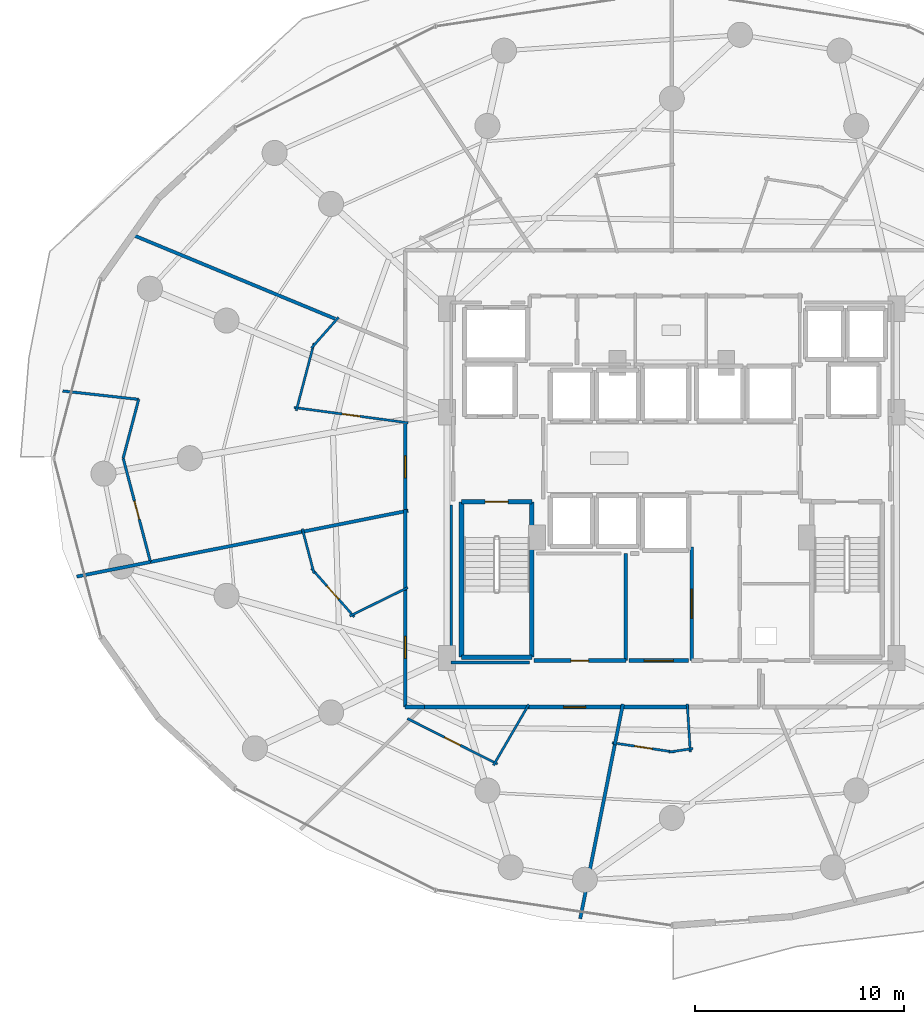
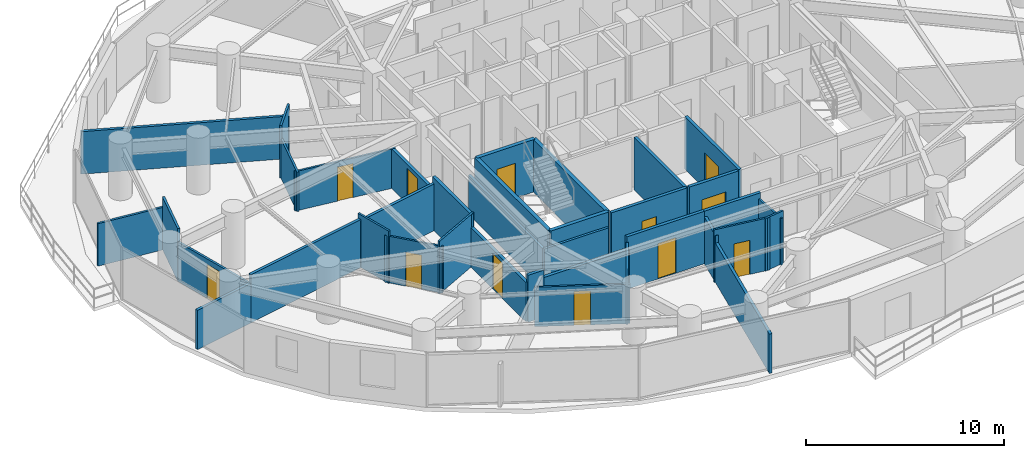
# One storey, part 27 of 35: 37 walls, 12 doors, 12 openings.
"""IFC4 building model written with IfcOpenShell, lengths in metres."""

import ifcopenshell
import ifcopenshell.guid

model = None  # the IFC model being written
_history = None  # IfcOwnerHistory: only IFC2X3 demands one
_inside = {}  # id of a spatial element -> (the spatial element, [elements in it])
_under = {}  # id of a project, library or spatial element -> (it, [spatial elements below it])
_declared = {}  # id of a project -> (the project, [libraries it declares])
_typed = {}  # id of a type object -> (the type object, [elements of that type])
_made_of = {}  # id of a material, layer set ... -> (it, [elements and type objects made of it])


def new_model(schema):
    """Start an empty IFC model of exactly this schema.

    Asked for "IFC4X3", IfcOpenShell would pick the latest addendum, in which some entities
    have other attributes; the version numbers below select the first issue.
    IFC2X3 requires an IfcOwnerHistory on every rooted entity: one is made here for all.
    """
    global model, _history
    if schema == "IFC4X3":
        model = ifcopenshell.file(schema_version=(4, 3, 0, 0))
    else:
        model = ifcopenshell.file(schema=schema)
    _inside.clear()
    _under.clear()
    _declared.clear()
    _typed.clear()
    _made_of.clear()
    _history = None
    if model.schema == "IFC2X3":
        org = make("IfcOrganization", Name="unknown")
        user = make(
            "IfcPersonAndOrganization",
            ThePerson=make("IfcPerson", FamilyName="unknown"),
            TheOrganization=org,
        )
        app = make(
            "IfcApplication",
            ApplicationDeveloper=org,
            Version="unknown",
            ApplicationFullName="unknown",
            ApplicationIdentifier="unknown",
        )
        _history = make(
            "IfcOwnerHistory",
            OwningUser=user,
            OwningApplication=app,
            ChangeAction="ADDED",
            CreationDate=0,
        )
    return model


def make(cls, **values):
    """One entity of the class cls with the attributes given. An attribute that is None is left unset."""
    return model.create_entity(
        cls, **{name: value for name, value in values.items() if value is not None}
    )


def rooted(cls, **values):
    """An entity with a GlobalId (a new one), such as an element, a storey or a relation."""
    return make(cls, GlobalId=ifcopenshell.guid.new(), OwnerHistory=_history, **values)


def si_unit(unit_type, name, prefix=None):
    """IfcSIUnit, for example si_unit("LENGTHUNIT", "METRE", prefix="MILLI")."""
    return make("IfcSIUnit", UnitType=unit_type, Prefix=prefix, Name=name)


def assignment(units):
    """IfcUnitAssignment: the units of a project."""
    return None if units is None else make("IfcUnitAssignment", Units=units)


def point(xyz):
    """IfcCartesianPoint."""
    return None if xyz is None else make("IfcCartesianPoint", Coordinates=xyz)


def direction(xyz):
    """IfcDirection."""
    return None if xyz is None else make("IfcDirection", DirectionRatios=xyz)


def frame(location, z_axis=None, x_axis=None):
    """IfcAxis2Placement3D, a coordinate frame: its origin and axes. An axis left out is left unset."""
    return make(
        "IfcAxis2Placement3D",
        Location=point(location),
        Axis=direction(z_axis),
        RefDirection=direction(x_axis),
    )


def frame_2d(location, x_axis=None):
    """IfcAxis2Placement2D, a coordinate frame in the plane: its origin and x axis."""
    return make(
        "IfcAxis2Placement2D", Location=point(location), RefDirection=direction(x_axis)
    )


def origin():
    """The frame at (0, 0, 0) with its axes left unset."""
    return frame((0.0, 0.0, 0.0))


def place(relative_to, where):
    """IfcLocalPlacement: puts the frame where relative to a parent placement (None: the world)."""
    return make(
        "IfcLocalPlacement", PlacementRelTo=relative_to, RelativePlacement=where
    )


def context(
    kind, dimensions, precision=None, world=None, true_north=None, identifier=None
):
    """IfcGeometricRepresentationContext, for example the 3D "Model" context."""
    return make(
        "IfcGeometricRepresentationContext",
        ContextIdentifier=identifier,
        ContextType=kind,
        CoordinateSpaceDimension=dimensions,
        Precision=precision,
        WorldCoordinateSystem=world,
        TrueNorth=true_north,
    )


def subcontext(parent, identifier, kind, view, scale=None):
    """IfcGeometricRepresentationSubContext, for example "Body" below "Model"."""
    return make(
        "IfcGeometricRepresentationSubContext",
        ContextIdentifier=identifier,
        ContextType=kind,
        ParentContext=parent,
        TargetScale=scale,
        TargetView=view,
    )


def project(units=None, contexts=None):
    """IfcProject with its units and contexts."""
    return rooted(
        "IfcProject",
        Name="project",
        RepresentationContexts=contexts,
        UnitsInContext=assignment(units),
    )


def spatial(cls, under=None, at=None, **own):
    """A site, building, storey or space (cls), placed at a placement, below another one or the project."""
    s = rooted(cls, ObjectPlacement=at, **own)
    if under is not None:
        _under.setdefault(under.id(), (under, []))[1].append(s)
    return s


def profile(cls, at=None, kind="AREA", **sizes):
    """A parametric profile (cls). Its sizes go by their IFC names, for example OverallWidth=200.0."""
    return make(cls, ProfileType=kind, Position=at, **sizes)


def rectangle(**sizes):
    """IfcRectangleProfileDef."""
    return profile("IfcRectangleProfileDef", **sizes)


def extrude(swept, where, along, depth):
    """IfcExtrudedAreaSolid: the profile swept, set in the frame where, extruded along a direction by depth."""
    return make(
        "IfcExtrudedAreaSolid",
        SweptArea=swept,
        Position=where,
        ExtrudedDirection=direction(along),
        Depth=depth,
    )


def shape(context_of_items, identifier, shape_type, items):
    """IfcShapeRepresentation: the items that make up one representation, for example the "Body"."""
    return make(
        "IfcShapeRepresentation",
        ContextOfItems=context_of_items,
        RepresentationIdentifier=identifier,
        RepresentationType=shape_type,
        Items=items,
    )


def material(Name=None, Category=None):
    """IfcMaterial."""
    return make("IfcMaterial", Name=Name, Category=Category)


def layer(
    of_material, thickness, ventilated=None, Name=None, Category=None, Priority=None
):
    """IfcMaterialLayer: one layer of a wall or slab, of a material (None: an air gap)."""
    return make(
        "IfcMaterialLayer",
        Material=of_material,
        LayerThickness=thickness,
        IsVentilated=ventilated,
        Name=Name,
        Category=Category,
        Priority=Priority,
    )


def layer_set(layers, Name=None):
    """IfcMaterialLayerSet."""
    return make("IfcMaterialLayerSet", MaterialLayers=layers, LayerSetName=Name)


def made_of(thing, what):
    """Note that an element or type object is made of a material, layer set ...; save() writes the relation."""
    if what is not None:
        _made_of.setdefault(what.id(), (what, []))[1].append(thing)
    return thing


def type_object(cls, material=None, **own):
    """A type object (cls), such as IfcWallType, which elements share."""
    return made_of(rooted(cls, **own), material)


def element(
    cls,
    number,
    at=None,
    inside=None,
    cuts=None,
    type_object=None,
    material=None,
    context=None,
    identifier="Body",
    shape_type=None,
    held_by="IfcProductDefinitionShape",
    body=None,
    shapes=None,
    **own,
):
    """One element of the class cls, such as IfcWall. Its Tag is "e" and its number.

    at: its placement. inside: the storey or other place that contains it. cuts: it is an
    opening in that element (IfcRelVoidsElement). A single representation is given by context,
    identifier, shape_type and body (its items); several are given by shapes. held_by: the class
    of the entity that holds the representations. save() writes the other relations.
    """
    e = rooted(cls, Tag="e%d" % number, ObjectPlacement=at, **own)
    if body is not None:
        shapes = [shape(context, identifier, shape_type, body)]
    if shapes is not None:
        e.Representation = make(held_by, Representations=shapes)
    if inside is not None:
        _inside.setdefault(inside.id(), (inside, []))[1].append(e)
    if cuts is not None:
        rooted(
            "IfcRelVoidsElement", RelatingBuildingElement=cuts, RelatedOpeningElement=e
        )
    if type_object is not None:
        _typed.setdefault(type_object.id(), (type_object, []))[1].append(e)
    return made_of(e, material)


def fill(opening, filler):
    """IfcRelFillsElement: the door or window that sits in an opening."""
    return rooted(
        "IfcRelFillsElement",
        RelatingOpeningElement=opening,
        RelatedBuildingElement=filler,
    )


def aggregate(whole, parts):
    """IfcRelAggregates: a whole, such as a stair, and the parts it consists of."""
    return rooted("IfcRelAggregates", RelatingObject=whole, RelatedObjects=parts)


def save(model, path):
    """Write the relations noted so far, then the file.

    IfcRelAggregates (storeys below a building ...), IfcRelContainedInSpatialStructure (elements
    in a storey), IfcRelDefinesByType, IfcRelAssociatesMaterial and IfcRelDeclares: one each for
    every whole, place, type object, material and project.
    """
    for whole, parts in _under.values():
        aggregate(whole, parts)
    for where, things in _inside.values():
        rooted(
            "IfcRelContainedInSpatialStructure",
            RelatedElements=things,
            RelatingStructure=where,
        )
    for kind, things in _typed.values():
        rooted("IfcRelDefinesByType", RelatedObjects=things, RelatingType=kind)
    for what, things in _made_of.values():
        rooted("IfcRelAssociatesMaterial", RelatedObjects=things, RelatingMaterial=what)
    for by, libraries in _declared.values():
        rooted("IfcRelDeclares", RelatingContext=by, RelatedDefinitions=libraries)
    model.write(path)


model = new_model("IFC4")

# Units and contexts
model_context = context("Model", 3, precision=1e-05, world=origin(), true_north=direction((0.0, 1.0)))
body_context = subcontext(model_context, "Body", "Model", "MODEL_VIEW")
ifc_project = project(units=[si_unit("LENGTHUNIT", "METRE"), si_unit("AREAUNIT", "SQUARE_METRE"), si_unit("VOLUMEUNIT", "CUBIC_METRE"), si_unit("PLANEANGLEUNIT", "RADIAN"), si_unit("MASSUNIT", "GRAM", prefix="KILO")], contexts=[model_context])

# Site, building, storey
site_placement = place(None, origin())
site = spatial("IfcSite", under=ifc_project, at=site_placement, CompositionType="ELEMENT")
building_placement = place(site_placement, origin())
building = spatial("IfcBuilding", under=site, at=building_placement, Name="Vorneva Point Tower", CompositionType="ELEMENT")
storey_placement = place(building_placement, frame((0.0, 0.0, 52.0)))
storey = spatial("IfcBuildingStorey", under=building, at=storey_placement, Name="L13", CompositionType="ELEMENT", Elevation=52.0)

# Wall, opening, door
ifc_material_1 = material(Name="Fire-rated acoustic gypsum stud partition", Category="gypsum")
ifc_layer_1 = layer(ifc_material_1, 0.110107421875)
ifc_layer_set_1 = layer_set([ifc_layer_1], Name="Fire-rated acoustic gypsum stud partition")
wall_type_1 = type_object("IfcWallType", Name="WL-PART-110", PredefinedType="PARTITIONING", material=ifc_layer_set_1)
wall_1_placement = place(storey_placement, frame((25.388916015625, 27.6943359375, 0.0), z_axis=(0.0, 0.0, 1.0), x_axis=(-0.991111683087, 0.133032445848, 0.0)))
wall_1 = element("IfcWall", 1, at=wall_1_placement, inside=storey, type_object=wall_type_1, Name="L13 Interior Partition 067", PredefinedType="PARTITIONING", context=body_context, shape_type="SweptSolid", body=[
    extrude(rectangle(XDim=5.503662109375, YDim=0.110107421875, at=frame_2d((2.751953125, 0.0))), origin(), (0.0, 0.0, 1.0), 2.431884765625),
])
opening_1_placement = place(wall_1_placement, frame((2.326904296875, 0.0, 0.0)))
opening_1 = element("IfcOpeningElement", 2, at=opening_1_placement, cuts=wall_1, Name="Opening ID-02", PredefinedType="OPENING", context=body_context, shape_type="SweptSolid", body=[
    extrude(rectangle(XDim=0.85009765625, YDim=2.10009765625, at=frame_2d((0.425048828125, 1.050048828125))), frame((0.0, 0.06982421875, 0.0), z_axis=(0.0, -1.0, 0.0), x_axis=(1.0, 0.0, 0.0)), (0.0, 0.0, 1.0), 0.139892578125),
])
ifc_material_2 = material(Name="Engineered oak fire-rated door leaf", Category="wood")
door_type_1 = type_object("IfcDoorType", Name="DR-BATH-850", OperationType="NOTDEFINED", PredefinedType="DOOR", material=ifc_material_2)
door_1_placement = place(opening_1_placement, origin())
door_1 = element("IfcDoor", 3, at=door_1_placement, inside=storey, type_object=door_type_1, Name="L13 Door Junior Suite L13-05 / En-Suite Bathroom L13-05", OperationType="SINGLE_SWING_LEFT", OverallHeight=2.10009765625, OverallWidth=0.85009765625, PredefinedType="DOOR", context=body_context, shape_type="SweptSolid", body=[
    extrude(rectangle(XDim=0.85009765625, YDim=2.10009765625, at=frame_2d((0.425048828125, 1.050048828125))), frame((0.0, 0.02490234375, 0.0), z_axis=(0.0, -1.0, 0.0), x_axis=(1.0, 0.0, 0.0)), (0.0, 0.0, 1.0), 0.050048828125),
])
fill(opening_1, door_1)

# Walls
wall_2_placement = place(storey_placement, frame((20.037353515625, 28.272705078125, 0.0), z_axis=(0.0, 0.0, 1.0), x_axis=(0.254593926267, 0.967048050878, 0.0)))
element("IfcWall", 4, at=wall_2_placement, inside=storey, type_object=wall_type_1, Name="L13 Interior Partition 068", PredefinedType="PARTITIONING", context=body_context, shape_type="SweptSolid", body=[
    extrude(rectangle(XDim=3.34375, YDim=0.110107421875, at=frame_2d((1.671875, 0.0))), origin(), (0.0, 0.0, 1.0), 2.431884765625),
])
wall_3_placement = place(storey_placement, frame((20.76025390625, 31.26611328125, 0.0), z_axis=(0.0, 0.0, 1.0), x_axis=(0.662047420969, 0.749461948593, 0.0)))
element("IfcWall", 5, at=wall_3_placement, inside=storey, type_object=wall_type_1, Name="L13 Interior Partition 069", PredefinedType="PARTITIONING", context=body_context, shape_type="SweptSolid", body=[
    extrude(rectangle(XDim=1.9716796875, YDim=0.110107421875, at=frame_2d((0.98583984375, 0.0))), origin(), (0.0, 0.0, 1.0), 3.239990234375),
])
wall_4_placement = place(storey_placement, frame((25.375732421875, 19.815673828125, 0.0), z_axis=(0.0, 0.0, 1.0), x_axis=(-0.89800930559, -0.439976461954, 0.0)))
element("IfcWall", 6, at=wall_4_placement, inside=storey, type_object=wall_type_1, Name="L13 Interior Partition 076", PredefinedType="PARTITIONING", context=body_context, shape_type="SweptSolid", body=[
    extrude(rectangle(XDim=3.09619140625, YDim=0.110107421875, at=frame_2d((1.548095703125, 0.0))), origin(), (0.0, 0.0, 1.0), 3.239990234375),
])

# Wall, opening, door
wall_5_placement = place(storey_placement, frame((22.813720703125, 18.41015625, 0.0), z_axis=(0.0, 0.0, 1.0), x_axis=(-0.662186487972, 0.749339078887, 0.0)))
wall_5 = element("IfcWall", 7, at=wall_5_placement, inside=storey, type_object=wall_type_1, Name="L13 Interior Partition 077", PredefinedType="PARTITIONING", context=body_context, shape_type="SweptSolid", body=[
    extrude(rectangle(XDim=3.10107421875, YDim=0.110107421875, at=frame_2d((1.550537109375, 0.0))), origin(), (0.0, 0.0, 1.0), 2.885986328125),
])
opening_2_placement = place(wall_5_placement, frame((1.12548828125, 0.0, 0.0)))
opening_2 = element("IfcOpeningElement", 8, at=opening_2_placement, cuts=wall_5, Name="Opening ID-02", PredefinedType="OPENING", context=body_context, shape_type="SweptSolid", body=[
    extrude(rectangle(XDim=0.85009765625, YDim=2.10009765625, at=frame_2d((0.425048828125, 1.050048828125))), frame((0.0, 0.06982421875, 0.0), z_axis=(0.0, -1.0, 0.0), x_axis=(1.0, 0.0, 0.0)), (0.0, 0.0, 1.0), 0.139892578125),
])
door_2_placement = place(opening_2_placement, origin())
door_2 = element("IfcDoor", 9, at=door_2_placement, inside=storey, type_object=door_type_1, Name="L13 Door Executive Suite L13-06 / En-Suite Bathroom L13-06", OperationType="SINGLE_SWING_LEFT", OverallHeight=2.10009765625, OverallWidth=0.85009765625, PredefinedType="DOOR", context=body_context, shape_type="SweptSolid", body=[
    extrude(rectangle(XDim=0.85009765625, YDim=2.10009765625, at=frame_2d((0.425048828125, 1.050048828125))), frame((0.0, 0.02490234375, 0.0), z_axis=(0.0, -1.0, 0.0), x_axis=(1.0, 0.0, 0.0)), (0.0, 0.0, 1.0), 0.050048828125),
])
fill(opening_2, door_2)

# Wall
wall_6_placement = place(storey_placement, frame((20.888671875, 20.49365234375, 0.0), z_axis=(0.0, 0.0, 1.0), x_axis=(-0.254389812051, 0.967101764823, 0.0)))
element("IfcWall", 10, at=wall_6_placement, inside=storey, type_object=wall_type_1, Name="L13 Interior Partition 078", PredefinedType="PARTITIONING", context=body_context, shape_type="SweptSolid", body=[
    extrude(rectangle(XDim=2.206298828125, YDim=0.110107421875, at=frame_2d((1.10302734375, 0.0))), origin(), (0.0, 0.0, 1.0), 3.239990234375),
])

# Wall, opening, door
wall_7_placement = place(storey_placement, frame((29.6650390625, 11.371826171875, 0.0), z_axis=(0.0, 0.0, 1.0), x_axis=(-0.892577568201, 0.450893873039, 0.0)))
wall_7 = element("IfcWall", 11, at=wall_7_placement, inside=storey, type_object=wall_type_1, Name="L13 Interior Partition 080", PredefinedType="PARTITIONING", context=body_context, shape_type="SweptSolid", body=[
    extrude(rectangle(XDim=4.824462890625, YDim=0.110107421875, at=frame_2d((2.412109375, 0.0))), origin(), (0.0, 0.0, 1.0), 2.431884765625),
])
opening_3_placement = place(wall_7_placement, frame((1.987060546875, 0.0, 0.0)))
opening_3 = element("IfcOpeningElement", 12, at=opening_3_placement, cuts=wall_7, Name="Opening ID-02", PredefinedType="OPENING", context=body_context, shape_type="SweptSolid", body=[
    extrude(rectangle(XDim=0.85009765625, YDim=2.10009765625, at=frame_2d((0.425048828125, 1.050048828125))), frame((0.0, 0.06982421875, 0.0), z_axis=(0.0, -1.0, 0.0), x_axis=(1.0, 0.0, 0.0)), (0.0, 0.0, 1.0), 0.139892578125),
])
door_3_placement = place(opening_3_placement, origin())
door_3 = element("IfcDoor", 13, at=door_3_placement, inside=storey, type_object=door_type_1, Name="L13 Door Corner Suite L13-07 / En-Suite Bathroom L13-07", OperationType="SINGLE_SWING_RIGHT", OverallHeight=2.10009765625, OverallWidth=0.85009765625, PredefinedType="DOOR", context=body_context, shape_type="SweptSolid", body=[
    extrude(rectangle(XDim=0.85009765625, YDim=2.10009765625, at=frame_2d((0.425048828125, 1.050048828125))), frame((0.0, 0.02490234375, 0.0), z_axis=(0.0, -1.0, 0.0), x_axis=(1.0, 0.0, 0.0)), (0.0, 0.0, 1.0), 0.050048828125),
])
fill(opening_3, door_3)

# Walls
wall_8_placement = place(storey_placement, frame((31.158203125, 14.22119140625, 0.0), z_axis=(0.0, 0.0, 1.0), x_axis=(-0.50222661214, -0.864736046466, 0.0)))
element("IfcWall", 14, at=wall_8_placement, inside=storey, type_object=wall_type_1, Name="L13 Interior Partition 081", PredefinedType="PARTITIONING", context=body_context, shape_type="SweptSolid", body=[
    extrude(rectangle(XDim=3.362060546875, YDim=0.110107421875, at=frame_2d((1.68115234375, 0.0))), origin(), (0.0, 0.0, 1.0), 2.885986328125),
])
wall_9_placement = place(storey_placement, frame((38.740234375, 14.23974609375, 0.0), z_axis=(0.0, 0.0, 1.0), x_axis=(0.062743659702, -0.998029675494, 0.0)))
element("IfcWall", 15, at=wall_9_placement, inside=storey, type_object=wall_type_1, Name="L13 Interior Partition 084", PredefinedType="PARTITIONING", context=body_context, shape_type="SweptSolid", body=[
    extrude(rectangle(XDim=2.287841796875, YDim=0.110107421875, at=frame_2d((1.14404296875, 0.0))), origin(), (0.0, 0.0, 1.0), 2.885986328125),
])
wall_10_placement = place(storey_placement, frame((39.013427734375, 12.116943359375, 0.0), z_axis=(0.0, 0.0, 1.0), x_axis=(-0.988803754909, -0.14922176208, 0.0)))
element("IfcWall", 16, at=wall_10_placement, inside=storey, type_object=wall_type_1, Name="L13 Interior Partition 085", PredefinedType="PARTITIONING", context=body_context, shape_type="SweptSolid", body=[
    extrude(rectangle(XDim=1.164794921875, YDim=0.110107421875, at=frame_2d((0.58251953125, 0.0))), origin(), (0.0, 0.0, 1.0), 3.239990234375),
])

# Wall, opening, door
wall_11_placement = place(storey_placement, frame((38.138427734375, 11.943115234375, 0.0), z_axis=(0.0, 0.0, 1.0), x_axis=(-0.988861549405, 0.148838288446, 0.0)))
wall_11 = element("IfcWall", 17, at=wall_11_placement, inside=storey, type_object=wall_type_1, Name="L13 Interior Partition 086", PredefinedType="PARTITIONING", context=body_context, shape_type="SweptSolid", body=[
    extrude(rectangle(XDim=3.021484375, YDim=0.110107421875, at=frame_2d((1.5107421875, 0.0))), origin(), (0.0, 0.0, 1.0), 3.239990234375),
])
opening_4_placement = place(wall_11_placement, frame((1.085693359375, 0.0, 0.0)))
opening_4 = element("IfcOpeningElement", 18, at=opening_4_placement, cuts=wall_11, Name="Opening ID-02", PredefinedType="OPENING", context=body_context, shape_type="SweptSolid", body=[
    extrude(rectangle(XDim=0.85009765625, YDim=2.10009765625, at=frame_2d((0.425048828125, 1.050048828125))), frame((0.0, 0.06982421875, 0.0), z_axis=(0.0, -1.0, 0.0), x_axis=(1.0, 0.0, 0.0)), (0.0, 0.0, 1.0), 0.139892578125),
])
door_4_placement = place(opening_4_placement, origin())
door_4 = element("IfcDoor", 19, at=door_4_placement, inside=storey, type_object=door_type_1, Name="L13 Door Junior Suite L13-08 / En-Suite Bathroom L13-08", OperationType="SINGLE_SWING_LEFT", OverallHeight=2.10009765625, OverallWidth=0.85009765625, PredefinedType="DOOR", context=body_context, shape_type="SweptSolid", body=[
    extrude(rectangle(XDim=0.85009765625, YDim=2.10009765625, at=frame_2d((0.425048828125, 1.050048828125))), frame((0.0, 0.02490234375, 0.0), z_axis=(0.0, -1.0, 0.0), x_axis=(1.0, 0.0, 0.0)), (0.0, 0.0, 1.0), 0.050048828125),
])
fill(opening_4, door_4)

# Walls
ifc_layer_2 = layer(ifc_material_1, 0.125)
ifc_layer_set_2 = layer_set([ifc_layer_2], Name="Fire-rated acoustic gypsum stud partition")
wall_type_2 = type_object("IfcWallType", Name="WL-PART-125", PredefinedType="PARTITIONING", material=ifc_layer_set_2)
wall_12_placement = place(storey_placement, frame((8.868896484375, 29.216064453125, 0.0), z_axis=(0.0, 0.0, 1.0), x_axis=(0.99395362386, -0.109800699523, 0.0)))
element("IfcWall", 20, at=wall_12_placement, inside=storey, type_object=wall_type_2, Name="L13 Interior Partition 070", PredefinedType="PARTITIONING", context=body_context, shape_type="SweptSolid", body=[
    extrude(rectangle(XDim=3.653076171875, YDim=0.125, at=frame_2d((1.82666015625, 0.0))), origin(), (0.0, 0.0, 1.0), 2.6240234375),
])
wall_13_placement = place(storey_placement, frame((12.5, 28.81494140625, 0.0), z_axis=(0.0, 0.0, 1.0), x_axis=(-0.254241432202, -0.967140783005, 0.0)))
element("IfcWall", 21, at=wall_13_placement, inside=storey, type_object=wall_type_2, Name="L13 Interior Partition 071", PredefinedType="PARTITIONING", context=body_context, shape_type="SweptSolid", body=[
    extrude(rectangle(XDim=2.91064453125, YDim=0.125, at=frame_2d((1.455322265625, 0.0))), origin(), (0.0, 0.0, 1.0), 3.239990234375),
])

# Wall, opening, door
wall_14_placement = place(storey_placement, frame((11.760009765625, 26.0, 0.0), z_axis=(0.0, 0.0, 1.0), x_axis=(0.254434720755, -0.967089950767, 0.0)))
wall_14 = element("IfcWall", 22, at=wall_14_placement, inside=storey, type_object=wall_type_2, Name="L13 Interior Partition 072", PredefinedType="PARTITIONING", context=body_context, shape_type="SweptSolid", body=[
    extrude(rectangle(XDim=5.128662109375, YDim=0.125, at=frame_2d((2.564453125, 0.0))), origin(), (0.0, 0.0, 1.0), 2.431884765625),
])
opening_5_placement = place(wall_14_placement, frame((2.114501953125, 0.0, 0.0)))
opening_5 = element("IfcOpeningElement", 23, at=opening_5_placement, cuts=wall_14, Name="Opening ID-01", PredefinedType="OPENING", context=body_context, shape_type="SweptSolid", body=[
    extrude(rectangle(XDim=0.89990234375, YDim=2.10009765625, at=frame_2d((0.449951171875, 1.050048828125))), frame((0.0, 0.077392578125, 0.0), z_axis=(0.0, -1.0, 0.0), x_axis=(1.0, 0.0, 0.0)), (0.0, 0.0, 1.0), 0.15478515625),
])
door_type_2 = type_object("IfcDoorType", Name="DR-ROOM-900", OperationType="NOTDEFINED", PredefinedType="DOOR", material=ifc_material_2)
door_5_placement = place(opening_5_placement, origin())
door_5 = element("IfcDoor", 24, at=door_5_placement, inside=storey, type_object=door_type_2, Name="L13 Door Junior Suite L13-05 / Suite Sitting Study L13-05", OperationType="SINGLE_SWING_RIGHT", OverallHeight=2.10009765625, OverallWidth=0.89990234375, PredefinedType="DOOR", context=body_context, shape_type="SweptSolid", body=[
    extrude(rectangle(XDim=0.89990234375, YDim=2.10009765625, at=frame_2d((0.449951171875, 1.050048828125))), frame((0.0, 0.02490234375, 0.0), z_axis=(0.0, -1.0, 0.0), x_axis=(1.0, 0.0, 0.0)), (0.0, 0.0, 1.0), 0.050048828125),
])
fill(opening_5, door_5)

# Walls
ifc_layer_3 = layer(ifc_material_1, 0.139892578125)
ifc_layer_set_3 = layer_set([ifc_layer_3], Name="Fire-rated acoustic gypsum stud partition")
wall_type_3 = type_object("IfcWallType", Name="WL-PART-140", PredefinedType="PARTITIONING", material=ifc_layer_set_3)
wall_15_placement = place(storey_placement, frame((31.195068359375, 16.239990234375, 0.0), z_axis=(0.0, 0.0, 1.0), x_axis=(-1.0, 0.0, 0.0)))
element("IfcWall", 25, at=wall_15_placement, inside=storey, type_object=wall_type_3, Name="L13 Interior Closure Partition 103", PredefinedType="PARTITIONING", context=body_context, shape_type="SweptSolid", body=[
    extrude(rectangle(XDim=3.7451171875, YDim=0.139892578125, at=frame_2d((1.87255859375, 0.0))), origin(), (0.0, 0.0, 1.0), 2.431884765625),
])
wall_16_placement = place(storey_placement, frame((27.449951171875, 16.239990234375, 0.0), z_axis=(0.0, 0.0, 1.0), x_axis=(0.0, 1.0, 0.0)))
element("IfcWall", 26, at=wall_16_placement, inside=storey, type_object=wall_type_3, Name="L13 Interior Closure Partition 104", PredefinedType="PARTITIONING", context=body_context, shape_type="SweptSolid", body=[
    extrude(rectangle(XDim=7.513916015625, YDim=0.139892578125, at=frame_2d((3.7568359375, 0.0))), origin(), (0.0, 0.0, 1.0), 2.431884765625),
])
ifc_layer_4 = layer(ifc_material_1, 0.159912109375)
ifc_layer_set_4 = layer_set([ifc_layer_4], Name="Fire-rated acoustic gypsum stud partition")
wall_type_4 = type_object("IfcWallType", Name="WL-PART-160", PredefinedType="PARTITIONING", material=ifc_layer_set_4)
wall_17_placement = place(storey_placement, frame((12.20703125, 36.68408203125, 0.0), z_axis=(0.0, 0.0, 1.0), x_axis=(0.923876032578, -0.382691881842, 0.0)))
element("IfcWall", 27, at=wall_17_placement, inside=storey, type_object=wall_type_4, Name="L13 Interior Partition 065", PredefinedType="PARTITIONING", context=body_context, shape_type="SweptSolid", body=[
    extrude(rectangle(XDim=10.63037109375, YDim=0.159912109375, at=frame_2d((5.315185546875, 0.0))), origin(), (0.0, 0.0, 1.0), 2.6240234375),
])
wall_18_placement = place(storey_placement, frame((13.06494140625, 21.0400390625, 0.0), z_axis=(0.0, 0.0, 1.0), x_axis=(0.980774220135, 0.195145917502, 0.0)))
element("IfcWall", 28, at=wall_18_placement, inside=storey, type_object=wall_type_4, Name="L13 Interior Partition 073", PredefinedType="PARTITIONING", context=body_context, shape_type="SweptSolid", body=[
    extrude(rectangle(XDim=7.50146484375, YDim=0.159912109375, at=frame_2d((3.750732421875, 0.0))), origin(), (0.0, 0.0, 1.0), 2.971923828125),
])
wall_19_placement = place(storey_placement, frame((20.284912109375, 22.476318359375, 0.0), z_axis=(0.0, 0.0, 1.0), x_axis=(0.980785905074, 0.195087181559, 0.0)))
element("IfcWall", 29, at=wall_19_placement, inside=storey, type_object=wall_type_4, Name="L13 Interior Partition 074", PredefinedType="PARTITIONING", context=body_context, shape_type="SweptSolid", body=[
    extrude(rectangle(XDim=5.2021484375, YDim=0.159912109375, at=frame_2d((2.60107421875, 0.0))), origin(), (0.0, 0.0, 1.0), 2.885986328125),
])
wall_20_placement = place(storey_placement, frame((9.541015625, 20.339111328125, 0.0), z_axis=(0.0, 0.0, 1.0), x_axis=(0.980786594985, 0.195083713053, 0.0)))
element("IfcWall", 30, at=wall_20_placement, inside=storey, type_object=wall_type_4, Name="L13 Interior Partition 075", PredefinedType="PARTITIONING", context=body_context, shape_type="SweptSolid", body=[
    extrude(rectangle(XDim=3.593017578125, YDim=0.159912109375, at=frame_2d((1.79638671875, 0.0))), origin(), (0.0, 0.0, 1.0), 2.431884765625),
])
wall_21_placement = place(storey_placement, frame((33.618896484375, 3.97705078125, 0.0), z_axis=(0.0, 0.0, 1.0), x_axis=(0.195151937053, 0.980773022398, 0.0)))
element("IfcWall", 31, at=wall_21_placement, inside=storey, type_object=wall_type_4, Name="L13 Interior Partition 082", PredefinedType="PARTITIONING", context=body_context, shape_type="SweptSolid", body=[
    extrude(rectangle(XDim=8.61962890625, YDim=0.159912109375, at=frame_2d((4.309814453125, 0.0))), origin(), (0.0, 0.0, 1.0), 2.431884765625),
])
wall_22_placement = place(storey_placement, frame((35.274169921875, 12.293701171875, 0.0), z_axis=(0.0, 0.0, 1.0), x_axis=(0.194907646023, 0.980821599233, 0.0)))
element("IfcWall", 32, at=wall_22_placement, inside=storey, type_object=wall_type_4, Name="L13 Interior Partition 083", PredefinedType="PARTITIONING", context=body_context, shape_type="SweptSolid", body=[
    extrude(rectangle(XDim=1.981689453125, YDim=0.159912109375, at=frame_2d((0.99072265625, 0.0))), origin(), (0.0, 0.0, 1.0), 2.885986328125),
])

# Wall, opening, door
ifc_material_3 = material(Name="Autoclaved aerated concrete blockwork", Category="masonry")
ifc_layer_5 = layer(ifc_material_3, 0.179931640625)
ifc_layer_set_5 = layer_set([ifc_layer_5], Name="Autoclaved aerated concrete blockwork")
wall_type_5 = type_object("IfcWallType", Name="WL-PART-180", PredefinedType="PARTITIONING", material=ifc_layer_set_5)
wall_23_placement = place(storey_placement, frame((38.949951171875, 21.7548828125, 0.0), z_axis=(0.0, 0.0, 1.0), x_axis=(0.0, -1.0, 0.0)))
wall_23 = element("IfcWall", 33, at=wall_23_placement, inside=storey, type_object=wall_type_5, Name="L13 Interior Partition 013", PredefinedType="PARTITIONING", context=body_context, shape_type="SweptSolid", body=[
    extrude(rectangle(XDim=5.434814453125, YDim=0.179931640625, at=frame_2d((2.71728515625, 0.0))), origin(), (0.0, 0.0, 1.0), 3.239990234375),
])
opening_6_placement = place(wall_23_placement, frame((2.017578125, 0.0, 0.0)))
opening_6 = element("IfcOpeningElement", 34, at=opening_6_placement, cuts=wall_23, Name="Opening FD-03", PredefinedType="OPENING", context=body_context, shape_type="SweptSolid", body=[
    extrude(rectangle(XDim=1.39990234375, YDim=2.199951171875, at=frame_2d((0.699951171875, 1.10009765625))), frame((0.0, 0.10498046875, 0.0), z_axis=(0.0, -1.0, 0.0), x_axis=(1.0, 0.0, 0.0)), (0.0, 0.0, 1.0), 0.209716796875),
])
ifc_material_4 = material(Name="Fire-rated powder-coated steel", Category="steel")
door_type_3 = type_object("IfcDoorType", Name="DR-PLT-1400", OperationType="DOUBLE_SWING_LEFT", PredefinedType="DOOR", material=ifc_material_4)
door_6_placement = place(opening_6_placement, origin())
door_6 = element("IfcDoor", 35, at=door_6_placement, inside=storey, type_object=door_type_3, Name="L13 Door Core Service Lobby / Telecoms and Data Room", OperationType="DOUBLE_SWING_LEFT", OverallHeight=2.199951171875, OverallWidth=1.39990234375, PredefinedType="DOOR", context=body_context, shape_type="SweptSolid", body=[
    extrude(rectangle(XDim=1.39990234375, YDim=2.199951171875, at=frame_2d((0.699951171875, 1.10009765625))), frame((0.0, 0.02490234375, 0.0), z_axis=(0.0, -1.0, 0.0), x_axis=(1.0, 0.0, 0.0)), (0.0, 0.0, 1.0), 0.050048828125),
])
fill(opening_6, door_6)

# Wall
wall_24_placement = place(storey_placement, frame((35.800048828125, 16.320068359375, 0.0), z_axis=(0.0, 0.0, 1.0), x_axis=(0.0, 1.0, 0.0)))
element("IfcWall", 36, at=wall_24_placement, inside=storey, type_object=wall_type_5, Name="L13 Interior Partition 023", PredefinedType="PARTITIONING", context=body_context, shape_type="SweptSolid", body=[
    extrude(rectangle(XDim=5.1298828125, YDim=0.179931640625, at=frame_2d((2.56494140625, 0.0))), origin(), (0.0, 0.0, 1.0), 3.239990234375),
])

# Wall, opening, door
wall_25_placement = place(storey_placement, frame((31.39990234375, 16.320068359375, 0.0), z_axis=(0.0, 0.0, 1.0), x_axis=(1.0, 0.0, 0.0)))
wall_25 = element("IfcWall", 37, at=wall_25_placement, inside=storey, type_object=wall_type_5, Name="L13 Interior Partition 024", PredefinedType="PARTITIONING", context=body_context, shape_type="SweptSolid", body=[
    extrude(rectangle(XDim=4.400146484375, YDim=0.179931640625, at=frame_2d((2.2001953125, 0.0))), origin(), (0.0, 0.0, 1.0), 3.239990234375),
])
opening_7_placement = place(wall_25_placement, frame((1.77490234375, 0.0, 0.0)))
opening_7 = element("IfcOpeningElement", 38, at=opening_7_placement, cuts=wall_25, Name="Opening ID-02", PredefinedType="OPENING", context=body_context, shape_type="SweptSolid", body=[
    extrude(rectangle(XDim=0.85009765625, YDim=2.10009765625, at=frame_2d((0.425048828125, 1.050048828125))), frame((0.0, 0.10498046875, 0.0), z_axis=(0.0, -1.0, 0.0), x_axis=(1.0, 0.0, 0.0)), (0.0, 0.0, 1.0), 0.209716796875),
])
door_7_placement = place(opening_7_placement, origin())
door_7 = element("IfcDoor", 39, at=door_7_placement, inside=storey, type_object=door_type_1, Name="L13 Door Housekeeping Store / L13 Circulation Corridor", OperationType="SINGLE_SWING_LEFT", OverallHeight=2.10009765625, OverallWidth=0.85009765625, PredefinedType="DOOR", context=body_context, shape_type="SweptSolid", body=[
    extrude(rectangle(XDim=0.85009765625, YDim=2.10009765625, at=frame_2d((0.425048828125, 1.050048828125))), frame((0.0, 0.02490234375, 0.0), z_axis=(0.0, -1.0, 0.0), x_axis=(1.0, 0.0, 0.0)), (0.0, 0.0, 1.0), 0.050048828125),
])
fill(opening_7, door_7)

wall_26_placement = place(storey_placement, frame((35.949951171875, 16.320068359375, 0.0), z_axis=(0.0, 0.0, 1.0), x_axis=(1.0, 0.0, 0.0)))
wall_26 = element("IfcWall", 40, at=wall_26_placement, inside=storey, type_object=wall_type_5, Name="L13 Interior Partition 025", PredefinedType="PARTITIONING", context=body_context, shape_type="SweptSolid", body=[
    extrude(rectangle(XDim=2.85009765625, YDim=0.179931640625, at=frame_2d((1.425048828125, 0.0))), origin(), (0.0, 0.0, 1.0), 3.239990234375),
])
opening_8_placement = place(wall_26_placement, frame((0.72509765625, 0.0, 0.0)))
opening_8 = element("IfcOpeningElement", 41, at=opening_8_placement, cuts=wall_26, Name="Opening FD-03", PredefinedType="OPENING", context=body_context, shape_type="SweptSolid", body=[
    extrude(rectangle(XDim=1.39990234375, YDim=2.199951171875, at=frame_2d((0.699951171875, 1.10009765625))), frame((0.0, 0.10498046875, 0.0), z_axis=(0.0, -1.0, 0.0), x_axis=(1.0, 0.0, 0.0)), (0.0, 0.0, 1.0), 0.209716796875),
])
door_8_placement = place(opening_8_placement, origin())
door_8 = element("IfcDoor", 42, at=door_8_placement, inside=storey, type_object=door_type_3, Name="L13 Door Telecoms and Data Room / L13 Circulation Corridor", OperationType="DOUBLE_SWING_LEFT", OverallHeight=2.199951171875, OverallWidth=1.39990234375, PredefinedType="DOOR", context=body_context, shape_type="SweptSolid", body=[
    extrude(rectangle(XDim=1.39990234375, YDim=2.199951171875, at=frame_2d((0.699951171875, 1.10009765625))), frame((0.0, 0.02490234375, 0.0), z_axis=(0.0, -1.0, 0.0), x_axis=(1.0, 0.0, 0.0)), (0.0, 0.0, 1.0), 0.050048828125),
])
fill(opening_8, door_8)

wall_27_placement = place(storey_placement, frame((25.25, 27.77392578125, 0.0), z_axis=(0.0, 0.0, 1.0), x_axis=(0.0, -1.0, 0.0)))
wall_27 = element("IfcWall", 43, at=wall_27_placement, inside=storey, type_object=wall_type_5, Name="L13 Interior Partition 035", PredefinedType="PARTITIONING", context=body_context, shape_type="SweptSolid", body=[
    extrude(rectangle(XDim=4.370849609375, YDim=0.179931640625, at=frame_2d((2.185546875, 0.0))), origin(), (0.0, 0.0, 1.0), 2.431884765625),
])
opening_9_placement = place(wall_27_placement, frame((1.660400390625, 0.0, 0.0)))
opening_9 = element("IfcOpeningElement", 44, at=opening_9_placement, cuts=wall_27, Name="Opening UD-02", PredefinedType="OPENING", context=body_context, shape_type="SweptSolid", body=[
    extrude(rectangle(XDim=1.050048828125, YDim=2.199951171875, at=frame_2d((0.52490234375, 1.10009765625))), frame((0.0, 0.10498046875, 0.0), z_axis=(0.0, -1.0, 0.0), x_axis=(1.0, 0.0, 0.0)), (0.0, 0.0, 1.0), 0.209716796875),
])
door_type_4 = type_object("IfcDoorType", Name="DR-SUITE-1050", OperationType="NOTDEFINED", PredefinedType="DOOR", material=ifc_material_2)
door_9_placement = place(opening_9_placement, origin())
door_9 = element("IfcDoor", 45, at=door_9_placement, inside=storey, type_object=door_type_4, Name="L13 Door L13 Circulation Corridor / Junior Suite L13-05", OperationType="SINGLE_SWING_LEFT", OverallHeight=2.199951171875, OverallWidth=1.050048828125, PredefinedType="DOOR", context=body_context, shape_type="SweptSolid", body=[
    extrude(rectangle(XDim=1.050048828125, YDim=2.199951171875, at=frame_2d((0.52490234375, 1.10009765625))), frame((0.0, 0.02490234375, 0.0), z_axis=(0.0, -1.0, 0.0), x_axis=(1.0, 0.0, 0.0)), (0.0, 0.0, 1.0), 0.050048828125),
])
fill(opening_9, door_9)

wall_28_placement = place(storey_placement, frame((25.25, 19.81396484375, 0.0), z_axis=(0.0, 0.0, 1.0), x_axis=(0.0, -1.0, 0.0)))
wall_28 = element("IfcWall", 46, at=wall_28_placement, inside=storey, type_object=wall_type_5, Name="L13 Interior Partition 037", PredefinedType="PARTITIONING", context=body_context, shape_type="SweptSolid", body=[
    extrude(rectangle(XDim=5.7138671875, YDim=0.179931640625, at=frame_2d((2.85693359375, 0.0))), origin(), (0.0, 0.0, 1.0), 2.431884765625),
])
opening_10_placement = place(wall_28_placement, frame((2.33203125, 0.0, 0.0)))
opening_10 = element("IfcOpeningElement", 47, at=opening_10_placement, cuts=wall_28, Name="Opening UD-02", PredefinedType="OPENING", context=body_context, shape_type="SweptSolid", body=[
    extrude(rectangle(XDim=1.050048828125, YDim=2.199951171875, at=frame_2d((0.52490234375, 1.10009765625))), frame((0.0, 0.10498046875, 0.0), z_axis=(0.0, -1.0, 0.0), x_axis=(1.0, 0.0, 0.0)), (0.0, 0.0, 1.0), 0.209716796875),
])
door_10_placement = place(opening_10_placement, origin())
door_10 = element("IfcDoor", 48, at=door_10_placement, inside=storey, type_object=door_type_4, Name="L13 Door L13 Circulation Corridor / Executive Suite L13-06", OperationType="SINGLE_SWING_RIGHT", OverallHeight=2.199951171875, OverallWidth=1.050048828125, PredefinedType="DOOR", context=body_context, shape_type="SweptSolid", body=[
    extrude(rectangle(XDim=1.050048828125, YDim=2.199951171875, at=frame_2d((0.52490234375, 1.10009765625))), frame((0.0, 0.02490234375, 0.0), z_axis=(0.0, -1.0, 0.0), x_axis=(1.0, 0.0, 0.0)), (0.0, 0.0, 1.0), 0.050048828125),
])
fill(opening_10, door_10)

# Walls
wall_29_placement = place(storey_placement, frame((25.25, 14.10009765625, 0.0), z_axis=(0.0, 0.0, 1.0), x_axis=(1.0, 0.0, 0.0)))
element("IfcWall", 49, at=wall_29_placement, inside=storey, type_object=wall_type_5, Name="L13 Interior Partition 038", PredefinedType="PARTITIONING", context=body_context, shape_type="SweptSolid", body=[
    extrude(rectangle(XDim=0.909912109375, YDim=0.179931640625, at=frame_2d((0.455078125, 0.0))), origin(), (0.0, 0.0, 1.0), 2.885986328125),
])
wall_30_placement = place(storey_placement, frame((25.25, 23.54296875, 0.0), z_axis=(0.0, 0.0, 1.0), x_axis=(0.0, -1.0, 0.0)))
element("IfcWall", 50, at=wall_30_placement, inside=storey, type_object=wall_type_5, Name="L13 Interior Partition 039", PredefinedType="PARTITIONING", context=body_context, shape_type="SweptSolid", body=[
    extrude(rectangle(XDim=3.868896484375, YDim=0.179931640625, at=frame_2d((1.9345703125, 0.0))), origin(), (0.0, 0.0, 1.0), 3.239990234375),
])

# Wall, opening, door
wall_31_placement = place(storey_placement, frame((31.01904296875, 14.10009765625, 0.0), z_axis=(0.0, 0.0, 1.0), x_axis=(1.0, 0.0, 0.0)))
wall_31 = element("IfcWall", 51, at=wall_31_placement, inside=storey, type_object=wall_type_5, Name="L13 Interior Partition 040", PredefinedType="PARTITIONING", context=body_context, shape_type="SweptSolid", body=[
    extrude(rectangle(XDim=4.674072265625, YDim=0.179931640625, at=frame_2d((2.3369140625, 0.0))), origin(), (0.0, 0.0, 1.0), 3.239990234375),
])
opening_11_placement = place(wall_31_placement, frame((1.81201171875, 0.0, 0.0)))
opening_11 = element("IfcOpeningElement", 52, at=opening_11_placement, cuts=wall_31, Name="Opening UD-02", PredefinedType="OPENING", context=body_context, shape_type="SweptSolid", body=[
    extrude(rectangle(XDim=1.050048828125, YDim=2.199951171875, at=frame_2d((0.52490234375, 1.10009765625))), frame((0.0, 0.10498046875, 0.0), z_axis=(0.0, -1.0, 0.0), x_axis=(1.0, 0.0, 0.0)), (0.0, 0.0, 1.0), 0.209716796875),
])
door_11_placement = place(opening_11_placement, origin())
door_11 = element("IfcDoor", 53, at=door_11_placement, inside=storey, type_object=door_type_4, Name="L13 Door L13 Circulation Corridor / Corner Suite L13-07", OperationType="SINGLE_SWING_LEFT", OverallHeight=2.199951171875, OverallWidth=1.050048828125, PredefinedType="DOOR", context=body_context, shape_type="SweptSolid", body=[
    extrude(rectangle(XDim=1.050048828125, YDim=2.199951171875, at=frame_2d((0.52490234375, 1.10009765625))), frame((0.0, 0.02490234375, 0.0), z_axis=(0.0, -1.0, 0.0), x_axis=(1.0, 0.0, 0.0)), (0.0, 0.0, 1.0), 0.050048828125),
])
fill(opening_11, door_11)

# Walls
wall_32_placement = place(storey_placement, frame((26.02001953125, 14.10009765625, 0.0), z_axis=(0.0, 0.0, 1.0), x_axis=(1.0, 0.0, 0.0)))
element("IfcWall", 54, at=wall_32_placement, inside=storey, type_object=wall_type_5, Name="L13 Interior Partition 041", PredefinedType="PARTITIONING", context=body_context, shape_type="SweptSolid", body=[
    extrude(rectangle(XDim=5.138916015625, YDim=0.179931640625, at=frame_2d((2.5693359375, 0.0))), origin(), (0.0, 0.0, 1.0), 2.431884765625),
])
wall_33_placement = place(storey_placement, frame((35.552978515625, 14.10009765625, 0.0), z_axis=(0.0, 0.0, 1.0), x_axis=(1.0, 0.0, 0.0)))
element("IfcWall", 55, at=wall_33_placement, inside=storey, type_object=wall_type_5, Name="L13 Interior Partition 046", PredefinedType="PARTITIONING", context=body_context, shape_type="SweptSolid", body=[
    extrude(rectangle(XDim=3.276123046875, YDim=0.179931640625, at=frame_2d((1.63818359375, 0.0))), origin(), (0.0, 0.0, 1.0), 3.239990234375),
])

# Wall, opening, door
ifc_material_5 = material(Name="Concrete B50 (C40/50)", Category="concrete")
ifc_layer_6 = layer(ifc_material_5, 0.219970703125)
ifc_layer_set_6 = layer_set([ifc_layer_6], Name="Concrete B50 (C40/50)")
wall_type_6 = type_object("IfcWallType", Name="WL-SHFT-220", PredefinedType="SOLIDWALL", material=ifc_layer_set_6)
wall_34_placement = place(storey_placement, frame((27.93994140625, 23.909912109375, 0.0), z_axis=(0.0, 0.0, 1.0), x_axis=(1.0, 0.0, 0.0)))
wall_34 = element("IfcWall", 56, at=wall_34_placement, inside=storey, type_object=wall_type_6, Name="L13 Exit Stair ST1 Shaft Wall near", PredefinedType="SOLIDWALL", context=body_context, shape_type="SweptSolid", body=[
    extrude(rectangle(XDim=3.3701171875, YDim=0.219970703125, at=frame_2d((1.68505859375, 0.0))), origin(), (0.0, 0.0, 1.0), 3.239990234375),
])
opening_12_placement = place(wall_34_placement, frame((1.135009765625, 0.0, 0.0)))
opening_12 = element("IfcOpeningElement", 57, at=opening_12_placement, cuts=wall_34, Name="Opening FD-01", PredefinedType="OPENING", context=body_context, shape_type="SweptSolid", body=[
    extrude(rectangle(XDim=1.10009765625, YDim=2.14990234375, at=frame_2d((0.550048828125, 1.074951171875))), frame((0.0, 0.125, 0.0), z_axis=(0.0, -1.0, 0.0), x_axis=(1.0, 0.0, 0.0)), (0.0, 0.0, 1.0), 0.249755859375),
])
door_type_5 = type_object("IfcDoorType", Name="DR-STAIR-1100", OperationType="NOTDEFINED", PredefinedType="DOOR", material=ifc_material_4)
door_12_placement = place(opening_12_placement, origin())
door_12 = element("IfcDoor", 58, at=door_12_placement, inside=storey, type_object=door_type_5, Name="L13 Exit Stair ST1 Fire Door", OperationType="SINGLE_SWING_LEFT", OverallHeight=2.14990234375, OverallWidth=1.10009765625, PredefinedType="DOOR", context=body_context, shape_type="SweptSolid", body=[
    extrude(rectangle(XDim=1.10009765625, YDim=2.14990234375, at=frame_2d((0.550048828125, 1.074951171875))), frame((0.0, 0.02490234375, 0.0), z_axis=(0.0, -1.0, 0.0), x_axis=(1.0, 0.0, 0.0)), (0.0, 0.0, 1.0), 0.050048828125),
])
fill(opening_12, door_12)

# Walls
wall_35_placement = place(storey_placement, frame((31.31005859375, 23.909912109375, 0.0), z_axis=(0.0, 0.0, 1.0), x_axis=(0.0, -1.0, 0.0)))
element("IfcWall", 59, at=wall_35_placement, inside=storey, type_object=wall_type_6, Name="L13 Exit Stair ST1 Shaft Wall right", PredefinedType="SOLIDWALL", context=body_context, shape_type="SweptSolid", body=[
    extrude(rectangle(XDim=7.419921875, YDim=0.219970703125, at=frame_2d((3.7099609375, 0.0))), origin(), (0.0, 0.0, 1.0), 3.239990234375),
])
wall_36_placement = place(storey_placement, frame((31.31005859375, 16.489990234375, 0.0), z_axis=(0.0, 0.0, 1.0), x_axis=(-1.0, 0.0, 0.0)))
element("IfcWall", 60, at=wall_36_placement, inside=storey, type_object=wall_type_6, Name="L13 Exit Stair ST1 Shaft Wall far", PredefinedType="SOLIDWALL", context=body_context, shape_type="SweptSolid", body=[
    extrude(rectangle(XDim=3.3701171875, YDim=0.219970703125, at=frame_2d((1.68505859375, 0.0))), origin(), (0.0, 0.0, 1.0), 3.239990234375),
])
wall_37_placement = place(storey_placement, frame((27.93994140625, 16.489990234375, 0.0), z_axis=(0.0, 0.0, 1.0), x_axis=(0.0, 1.0, 0.0)))
element("IfcWall", 61, at=wall_37_placement, inside=storey, type_object=wall_type_6, Name="L13 Exit Stair ST1 Shaft Wall left", PredefinedType="SOLIDWALL", context=body_context, shape_type="SweptSolid", body=[
    extrude(rectangle(XDim=7.419921875, YDim=0.219970703125, at=frame_2d((3.7099609375, 0.0))), origin(), (0.0, 0.0, 1.0), 3.239990234375),
])

save(model, "model.ifc")
